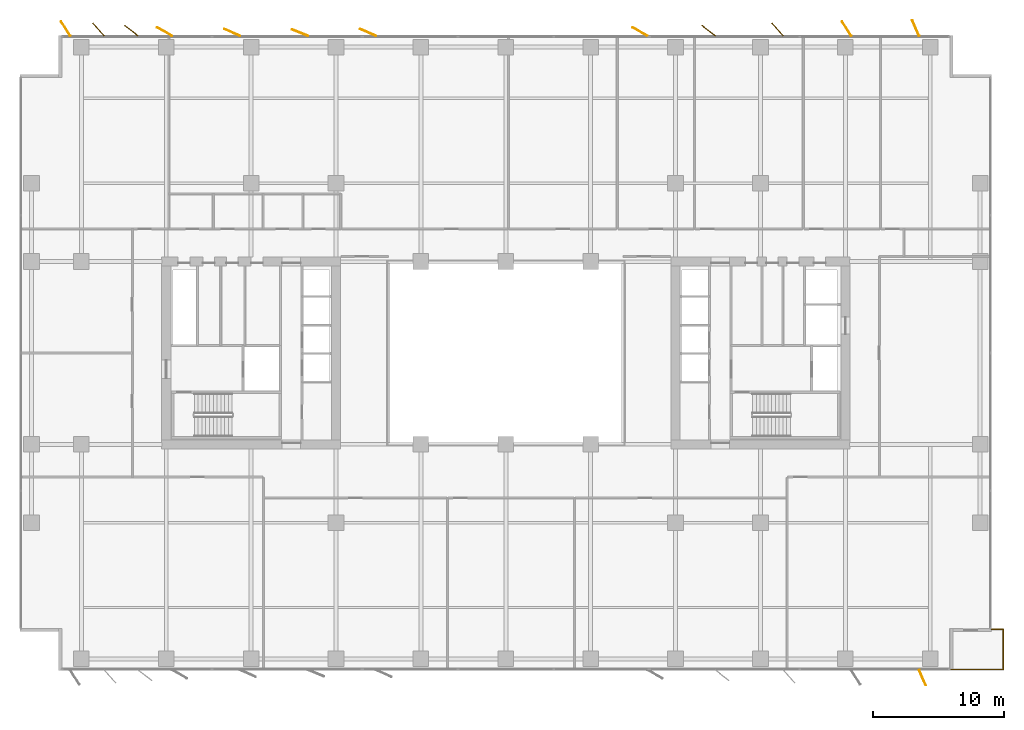
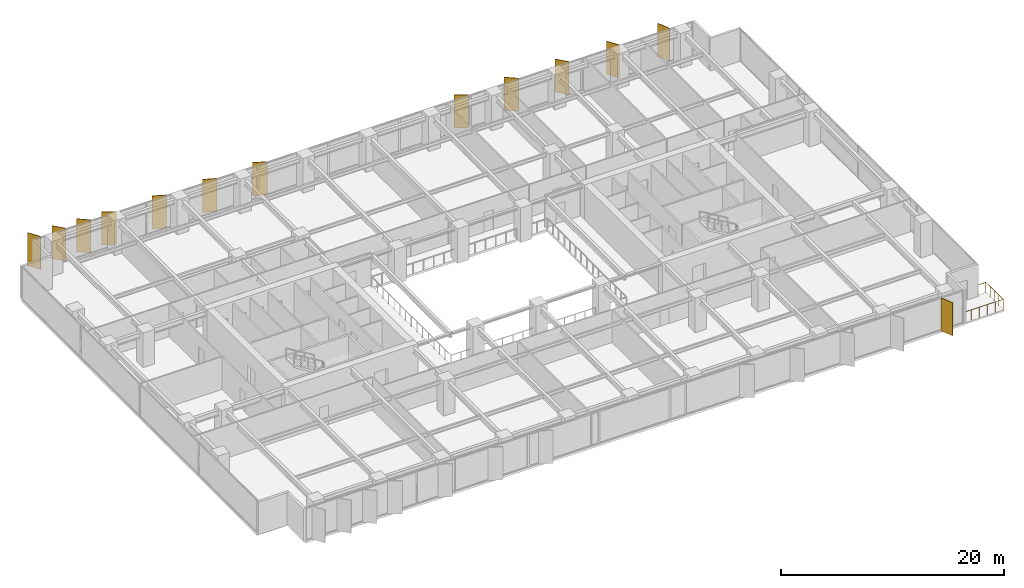
# One storey, part 20 of 20: 13 shading devices, 1 railing.
"""IFC4 building model written with IfcOpenShell, lengths in metres."""

from ifc_helpers import new_model, si_unit, direction, frame, origin, origin_2d, place, context, subcontext, project, spatial, rectangle, circle, extrude, material, layer, layer_set, type_object, element, save


model = new_model("IFC4")

# Units and contexts
model_context = context("Model", 3, precision=1e-05, world=origin(), true_north=direction((0.0, 1.0)))
body_context = subcontext(model_context, "Body", "Model", "MODEL_VIEW")
ifc_project = project(units=[si_unit("LENGTHUNIT", "METRE"), si_unit("AREAUNIT", "SQUARE_METRE"), si_unit("VOLUMEUNIT", "CUBIC_METRE"), si_unit("PLANEANGLEUNIT", "RADIAN"), si_unit("MASSUNIT", "GRAM", prefix="KILO")], contexts=[model_context])

# Site, building, storey
site_placement = place(None, origin())
site = spatial("IfcSite", under=ifc_project, at=site_placement, CompositionType="ELEMENT")
building_placement = place(site_placement, origin())
building = spatial("IfcBuilding", under=site, at=building_placement, Name="Putna Gate Headquarters", CompositionType="ELEMENT")
storey_placement = place(building_placement, frame((0.0, 0.0, 112.60009765625)))
storey = spatial("IfcBuildingStorey", under=building, at=storey_placement, Name="L27", CompositionType="ELEMENT", Elevation=112.60009765625)

# Railing
ifc_material_1 = material(Name="Anodised bronze steel and laminated glass guardrail", Category="steel")
railing_type = type_object("IfcRailingType", Name="RAIL-TERR-GUARD-1150", PredefinedType="GUARDRAIL", material=ifc_material_1)
railing_placement = place(storey_placement, frame((73.0, 1.760009765625, 0.0)))
element("IfcRailing", 1, at=railing_placement, inside=storey, type_object=railing_type, Name="L27 Spiral Sky Terrace Guardrail SE", PredefinedType="GUARDRAIL", context=body_context, shape_type="SweptSolid", body=[
    extrude(circle(Radius=0.02392578125, at=origin_2d()), frame((0.0, 0.0, 1.1259765625), z_axis=(1.0, 0.0, 0.0), x_axis=(0.0, 1.0, 0.0)), (0.0, 0.0, 1.0), 4.090087890625),
    extrude(circle(Radius=0.02392578125, at=origin_2d()), frame((4.090087890625, 0.0, 1.1259765625), z_axis=(0.0, 1.0, 0.0), x_axis=(-1.0, 0.0, 0.0)), (0.0, 0.0, 1.0), 3.080078125),
    extrude(circle(Radius=0.02392578125, at=origin_2d()), frame((4.090087890625, 3.080078125, 1.1259765625), z_axis=(-1.0, 0.0, 0.0), x_axis=(0.0, -1.0, 0.0)), (0.0, 0.0, 1.0), 0.89013671875),
    extrude(circle(Radius=0.02099609375, at=origin_2d()), origin(), (0.0, 0.0, 1.0), 1.101806640625),
    extrude(circle(Radius=0.02099609375, at=origin_2d()), frame((0.818115234375, 0.0, 0.0)), (0.0, 0.0, 1.0), 1.101806640625),
    extrude(circle(Radius=0.02099609375, at=origin_2d()), frame((1.635986328125, 0.0, 0.0)), (0.0, 0.0, 1.0), 1.101806640625),
    extrude(circle(Radius=0.02099609375, at=origin_2d()), frame((2.4541015625, 0.0, 0.0)), (0.0, 0.0, 1.0), 1.101806640625),
    extrude(circle(Radius=0.02099609375, at=origin_2d()), frame((3.27197265625, 0.0, 0.0)), (0.0, 0.0, 1.0), 1.101806640625),
    extrude(circle(Radius=0.02099609375, at=origin_2d()), frame((4.090087890625, 0.0, 0.0)), (0.0, 0.0, 1.0), 1.101806640625),
    extrude(circle(Radius=0.02099609375, at=origin_2d()), frame((4.090087890625, 0.77001953125, 0.0)), (0.0, 0.0, 1.0), 1.101806640625),
    extrude(circle(Radius=0.02099609375, at=origin_2d()), frame((4.090087890625, 1.5400390625, 0.0)), (0.0, 0.0, 1.0), 1.101806640625),
    extrude(circle(Radius=0.02099609375, at=origin_2d()), frame((4.090087890625, 2.31005859375, 0.0)), (0.0, 0.0, 1.0), 1.101806640625),
    extrude(circle(Radius=0.02099609375, at=origin_2d()), frame((4.090087890625, 3.080078125, 0.0)), (0.0, 0.0, 1.0), 1.101806640625),
    extrude(circle(Radius=0.02099609375, at=origin_2d()), frame((3.199951171875, 3.080078125, 0.0)), (0.0, 0.0, 1.0), 1.101806640625),
])

# Shading devices
ifc_material_2 = material(Name="Anodised architectural bronze aluminium fin", Category="aluminium")
ifc_layer = layer(ifc_material_2, 0.06494140625)
ifc_layer_set = layer_set([ifc_layer], Name="Anodised architectural bronze aluminium fin")
shading_device_type = type_object("IfcShadingDeviceType", Name="SHADE-BRONZE-FIN-1320", PredefinedType="USERDEFINED", material=ifc_layer_set)
for number, where, z_axis, x_axis, name in (
    (2, (5.2998046875, 50.83447265625, -0.02001953125), (0.0, 0.0, 1.0), (-0.530659123936, 0.847585331506, 0.0), "L27 Bronze Vertical Shading Fin N1"),
    (3, (7.808349609375, 50.765380859375, -0.02001953125), (0.0, 0.0, 1.0), (-0.669130606359, 0.743144825477, 0.0), "L27 Bronze Vertical Shading Fin N2"),
    (4, (10.330322265625, 50.681884765625, -0.02001953125), (0.0, 0.0, 1.0), (-0.787473187632, 0.616348909921, 0.0), "L27 Bronze Vertical Shading Fin N3"),
    (5, (12.876220703125, 50.601318359375, -0.02001953125), (0.0, 0.0, 1.0), (-0.869322458298, 0.494245347472, 0.0), "L27 Bronze Vertical Shading Fin N4"),
    (6, (18.047119140625, 50.543212890625, -0.02001953125), (0.0, 0.0, 1.0), (-0.913687379856, 0.40641773078, 0.0), "L27 Bronze Vertical Shading Fin N5"),
    (7, (23.238037109375, 50.522216796875, -0.02001953125), (0.0, 0.0, 1.0), (-0.927183854567, 0.374606593416, 0.0), "L27 Bronze Vertical Shading Fin N6"),
    (8, (28.447021484375, 50.543212890625, -0.02001953125), (0.0, 0.0, 1.0), (-0.913687379856, 0.40641773078, 0.0), "L27 Bronze Vertical Shading Fin N7"),
    (9, (49.276123046875, 50.601318359375, -0.02001953125), (0.0, 0.0, 1.0), (-0.869322458298, 0.494245347472, 0.0), "L27 Bronze Vertical Shading Fin N8"),
    (10, (54.5302734375, 50.681884765625, -0.02001953125), (0.0, 0.0, 1.0), (-0.787473187632, 0.616348909921, 0.0), "L27 Bronze Vertical Shading Fin N9"),
    (11, (59.808349609375, 50.765380859375, -0.02001953125), (0.0, 0.0, 1.0), (-0.669130606359, 0.743144825477, 0.0), "L27 Bronze Vertical Shading Fin N10"),
    (12, (65.099853515625, 50.83447265625, -0.02001953125), (0.0, 0.0, 1.0), (-0.530659123936, 0.847585331506, 0.0), "L27 Bronze Vertical Shading Fin N11"),
    (13, (70.914306640625, 1.120361328125, -0.02001953125), (0.0, 0.0, 1.0), (0.400668879095, -0.916222925562, 0.0), "L27 Bronze Vertical Shading Fin S12"),
    (14, (70.385498046875, 50.879638671875, -0.02001953125), (0.0, 0.0, 1.0), (-0.400668879095, 0.916222925562, 0.0), "L27 Bronze Vertical Shading Fin N12"),
):
    element("IfcShadingDevice", number, at=place(storey_placement, frame(where, z_axis=z_axis, x_axis=x_axis)), inside=storey, type_object=shading_device_type, Name=name, ObjectType="FIN", PredefinedType="USERDEFINED", context=body_context, shape_type="SweptSolid", body=[
        extrude(rectangle(XDim=1.320068359375, YDim=0.06494140625, at=origin_2d()), origin(), (0.0, 0.0, 1.0), 3.60498046875),
    ])

save(model, "model.ifc")
